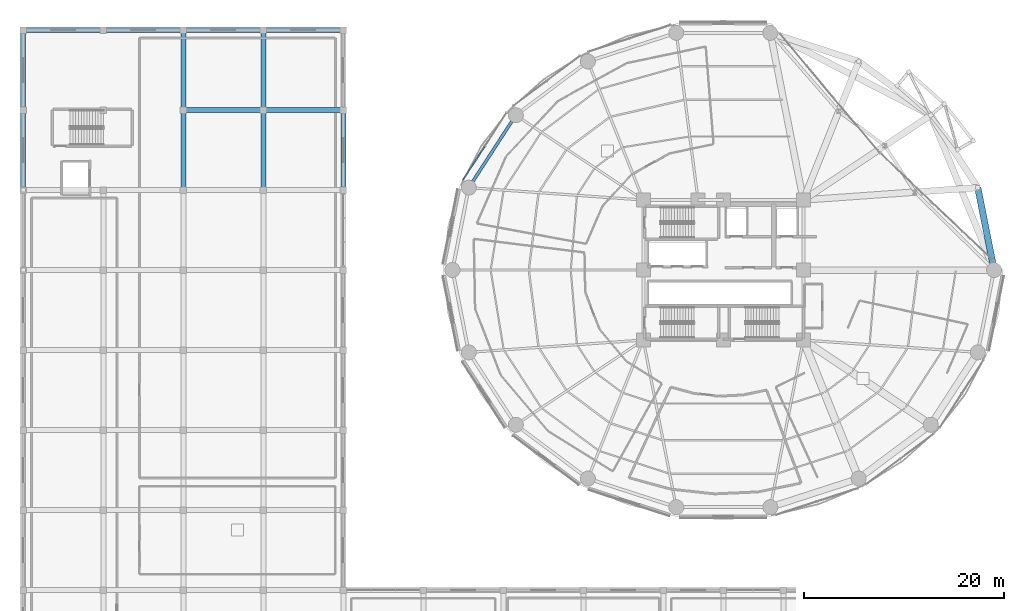
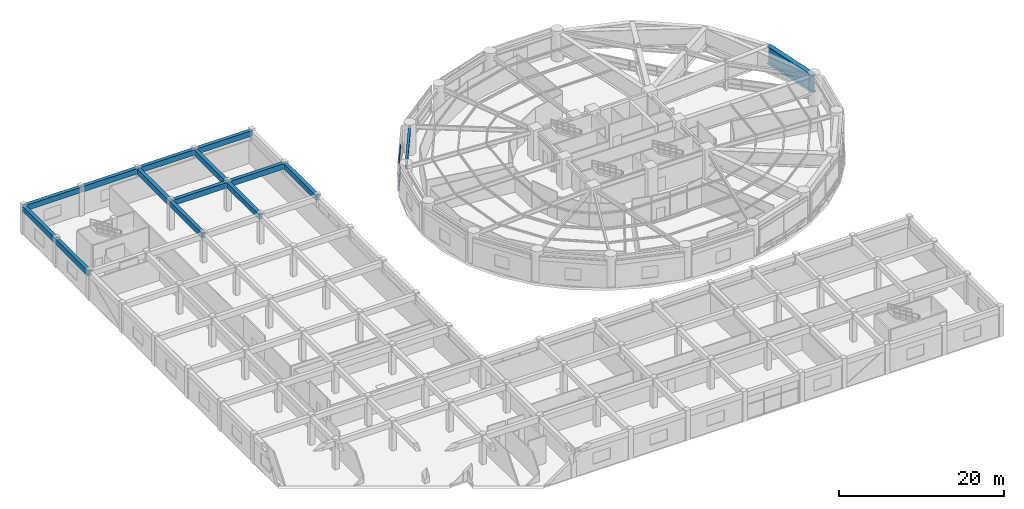
# One storey, part 26 of 52: 15 beams, 4 members, 1 element without a shape of its own.
"""IFC4 building model written with IfcOpenShell, lengths in metres."""

from ifc_helpers import new_model, si_unit, direction, frame, origin, origin_2d, place, context, subcontext, project, spatial, rectangle, hollow_rectangle, i_section, extrude, material, layer, layer_set, material_profile, profile_set, type_object, element, aggregate, save


model = new_model("IFC4")

# Units and contexts
model_context = context("Model", 3, precision=1e-05, world=origin(), true_north=direction((0.0, 1.0)))
body_context = subcontext(model_context, "Body", "Model", "MODEL_VIEW")
ifc_project = project(units=[si_unit("LENGTHUNIT", "METRE"), si_unit("AREAUNIT", "SQUARE_METRE"), si_unit("VOLUMEUNIT", "CUBIC_METRE"), si_unit("PLANEANGLEUNIT", "RADIAN"), si_unit("MASSUNIT", "GRAM", prefix="KILO")], contexts=[model_context])

# Site, building, storey
site_placement = place(None, origin())
site = spatial("IfcSite", under=ifc_project, at=site_placement, CompositionType="ELEMENT")
building_placement = place(site_placement, origin())
building = spatial("IfcBuilding", under=site, at=building_placement, Name="Kelanora Arch Commons", CompositionType="ELEMENT")
storey_placement = place(building_placement, frame((0.0, 0.0, 13.5)))
storey = spatial("IfcBuildingStorey", under=building, at=storey_placement, Name="L03", CompositionType="ELEMENT", Elevation=13.5)

# Beams
ifc_material_1 = material(Name="Concrete C40/50", Category="concrete")
ifc_material_profile_1 = material_profile(ifc_material_1, rectangle(XDim=0.5, YDim=0.800048828125, at=origin_2d()), Name="RCB500x800")
ifc_profile_set_1 = profile_set([ifc_material_profile_1], Name="Concrete C40/50")
beam_type_1 = type_object("IfcBeamType", Name="BM-MKT-RC1", PredefinedType="BEAM", material=ifc_profile_set_1)
for number, where, z_axis, x_axis, name in (
    (1, (4.0, 66.0, 3.840087890625), (0.0, 1.0, 0.0), (-1.0, 0.0, 0.0), "Market/Basement Frame Beam 018 L03"),
    (2, (4.0, 74.0, 3.840087890625), (0.0, 1.0, 0.0), (-1.0, 0.0, 0.0), "Market/Basement Frame Beam 019 L03"),
    (3, (4.0, 82.0, 3.840087890625), (1.0, 0.0, 0.0), (0.0, 1.0, 0.0), "Market/Basement Frame Beam 020 L03"),
    (4, (12.0, 82.0, 3.840087890625), (1.0, 0.0, 0.0), (0.0, 1.0, 0.0), "Market/Basement Frame Beam 037 L03"),
    (5, (20.0, 66.0, 3.840087890625), (0.0, 1.0, 0.0), (-1.0, 0.0, 0.0), "Market/Basement Frame Beam 055 L03"),
    (6, (20.0, 74.0, 3.840087890625), (1.0, 0.0, 0.0), (0.0, 1.0, 0.0), "Market/Basement Frame Beam 056 L03"),
    (7, (20.0, 74.0, 3.840087890625), (0.0, 1.0, 0.0), (-1.0, 0.0, 0.0), "Market/Basement Frame Beam 057 L03"),
    (8, (20.0, 82.0, 3.840087890625), (1.0, 0.0, 0.0), (0.0, 1.0, 0.0), "Market/Basement Frame Beam 058 L03"),
    (9, (28.0, 66.0, 3.840087890625), (0.0, 1.0, 0.0), (-1.0, 0.0, 0.0), "Market/Basement Frame Beam 076 L03"),
    (10, (28.0, 74.0, 3.840087890625), (1.0, 0.0, 0.0), (0.0, 1.0, 0.0), "Market/Basement Frame Beam 077 L03"),
    (11, (28.0, 74.0, 3.840087890625), (0.0, 1.0, 0.0), (-1.0, 0.0, 0.0), "Market/Basement Frame Beam 078 L03"),
    (12, (28.0, 82.0, 3.840087890625), (1.0, 0.0, 0.0), (0.0, 1.0, 0.0), "Market/Basement Frame Beam 079 L03"),
    (13, (36.0, 66.0, 3.840087890625), (0.0, 1.0, 0.0), (-1.0, 0.0, 0.0), "Market/Basement Frame Beam 092 L03"),
):
    element("IfcBeam", number, at=place(storey_placement, frame(where, z_axis=z_axis, x_axis=x_axis)), inside=storey, type_object=beam_type_1, Name=name, PredefinedType="BEAM", context=body_context, shape_type="SweptSolid", body=[
        extrude(rectangle(XDim=0.5, YDim=0.800048828125, at=origin_2d()), origin(), (0.0, 0.0, 1.0), 8.0),
    ])
ifc_material_2 = material(Name="Steel S355", Category="steel")
ifc_material_profile_2 = material_profile(ifc_material_2, i_section(OverallWidth=0.300048828125, OverallDepth=0.60009765625, WebThickness=0.015380859375, FlangeThickness=0.030029296875, FilletRadius=0.027099609375, at=origin_2d()), Name="HEB600")
ifc_profile_set_2 = profile_set([ifc_material_profile_2], Name="Steel S355")
beam_type_2 = type_object("IfcBeamType", Name="BM-SPN-Z1", PredefinedType="SPANDREL", material=ifc_profile_set_2)
beam_1_placement = place(storey_placement, frame((53.1357421875, 73.293701171875, 3.800048828125), z_axis=(-0.544583445345, -0.83870666568, 0.0), x_axis=(0.83870666568, -0.544583445345, 0.0)))
element("IfcBeam", 14, at=beam_1_placement, inside=storey, type_object=beam_type_2, Name="Perimeter Spandrel Beam BS-14 L03", PredefinedType="SPANDREL", context=body_context, shape_type="SweptSolid", body=[
    extrude(i_section(OverallWidth=0.300048828125, OverallDepth=0.60009765625, WebThickness=0.015380859375, FlangeThickness=0.030029296875, FilletRadius=0.027099609375, at=origin_2d()), origin(), (0.0, 0.0, 1.0), 8.415283203125),
])
ifc_material_profile_3 = material_profile(ifc_material_2, i_section(OverallWidth=0.64990234375, OverallDepth=2.60009765625, WebThickness=0.034912109375, FlangeThickness=0.054931640625, FilletRadius=0.028076171875, at=origin_2d()), Name="PG2600x650")
ifc_profile_set_3 = profile_set([ifc_material_profile_3], Name="Steel S355")
beam_type_3 = type_object("IfcBeamType", Name="BM-XFER-ARCH", PredefinedType="USERDEFINED", material=ifc_profile_set_3)
beam_2_placement = place(storey_placement, frame((101.080078125, 58.0, 2.800048828125), z_axis=(-0.194499827256, 0.980902552345, 0.0), x_axis=(-0.980902552345, -0.194499827256, 0.0)))
element("IfcBeam", 15, at=beam_2_placement, inside=storey, type_object=beam_type_3, Name="Perimeter Spandrel Beam BS-00 L03", ObjectType="TRANSFER_GIRDER", PredefinedType="USERDEFINED", context=body_context, shape_type="SweptSolid", body=[
    extrude(i_section(OverallWidth=0.64990234375, OverallDepth=2.60009765625, WebThickness=0.034912109375, FlangeThickness=0.054931640625, FilletRadius=0.028076171875, at=origin_2d()), origin(), (0.0, 0.0, 1.0), 8.396240234375),
])

# Curtain wall, members
ifc_material_3 = material(Name="Terracotta ceramic-fritted low-E glass and aluminium", Category="masonry")
ifc_layer = layer(ifc_material_3, 0.2099609375)
ifc_layer_set = layer_set([ifc_layer], Name="Terracotta ceramic-fritted low-E glass and aluminium")
curtain_wall_type = type_object("IfcCurtainWallType", Name="CW-SYS-04", PredefinedType="NOTDEFINED", material=ifc_layer_set)
curtain_wall_placement = place(storey_placement, origin())
curtain_wall = element("IfcCurtainWall", 16, at=curtain_wall_placement, inside=storey, type_object=curtain_wall_type, Name="Unitised Curtain Wall L03-B07", PredefinedType="NOTDEFINED")
ifc_material_4 = material(Name="Powder-coated aluminium terracotta", Category="masonry")
ifc_material_profile_4 = material_profile(ifc_material_4, hollow_rectangle(XDim=0.139892578125, YDim=0.06005859375, WallThickness=0.0048828125, InnerFilletRadius=0.0048828125, OuterFilletRadius=0.010009765625, at=origin_2d()), Name="CWT140x60")
ifc_profile_set_4 = profile_set([ifc_material_profile_4], Name="Powder-coated aluminium terracotta")
member_type = type_object("IfcMemberType", Name="CWT-HVY", PredefinedType="USERDEFINED", material=ifc_profile_set_4)
member_1_placement = place(storey_placement, frame((50.142822265625, 70.345703125, 0.030029296875), z_axis=(-0.54299796475, -0.839734011623, 0.0), x_axis=(0.839734011623, -0.54299796475, 0.0)))
member_1 = element("IfcMember", 17, at=member_1_placement, type_object=member_type, Name="CW-04 transom 2.1", ObjectType="TRANSOM", PredefinedType="USERDEFINED", context=body_context, shape_type="SweptSolid", body=[
    extrude(hollow_rectangle(XDim=0.139892578125, YDim=0.06005859375, WallThickness=0.0048828125, InnerFilletRadius=0.0048828125, OuterFilletRadius=0.010009765625, at=origin_2d()), origin(), (0.0, 0.0, 1.0), 3.95654296875),
])
member_2_placement = place(storey_placement, frame((50.142822265625, 70.345703125, 0.89990234375), z_axis=(-0.54299796475, -0.839734011623, 0.0), x_axis=(0.839734011623, -0.54299796475, 0.0)))
member_2 = element("IfcMember", 18, at=member_2_placement, type_object=member_type, Name="CW-04 transom 2.2", ObjectType="TRANSOM", PredefinedType="USERDEFINED", context=body_context, shape_type="SweptSolid", body=[
    extrude(hollow_rectangle(XDim=0.139892578125, YDim=0.06005859375, WallThickness=0.0048828125, InnerFilletRadius=0.0048828125, OuterFilletRadius=0.010009765625, at=origin_2d()), origin(), (0.0, 0.0, 1.0), 3.95654296875),
])
member_3_placement = place(storey_placement, frame((50.142822265625, 70.345703125, 3.5849609375), z_axis=(-0.54299796475, -0.839734011623, 0.0), x_axis=(0.839734011623, -0.54299796475, 0.0)))
member_3 = element("IfcMember", 19, at=member_3_placement, type_object=member_type, Name="CW-04 transom 2.3", ObjectType="TRANSOM", PredefinedType="USERDEFINED", context=body_context, shape_type="SweptSolid", body=[
    extrude(hollow_rectangle(XDim=0.139892578125, YDim=0.06005859375, WallThickness=0.0048828125, InnerFilletRadius=0.0048828125, OuterFilletRadius=0.010009765625, at=origin_2d()), origin(), (0.0, 0.0, 1.0), 3.95654296875),
])
member_4_placement = place(storey_placement, frame((50.142822265625, 70.345703125, 4.054931640625), z_axis=(-0.54299796475, -0.839734011623, 0.0), x_axis=(0.839734011623, -0.54299796475, 0.0)))
member_4 = element("IfcMember", 20, at=member_4_placement, type_object=member_type, Name="CW-04 transom 2.4", ObjectType="TRANSOM", PredefinedType="USERDEFINED", context=body_context, shape_type="SweptSolid", body=[
    extrude(hollow_rectangle(XDim=0.139892578125, YDim=0.06005859375, WallThickness=0.0048828125, InnerFilletRadius=0.0048828125, OuterFilletRadius=0.010009765625, at=origin_2d()), origin(), (0.0, 0.0, 1.0), 3.95654296875),
])
aggregate(curtain_wall, [member_1, member_2, member_3, member_4])

save(model, "model.ifc")
